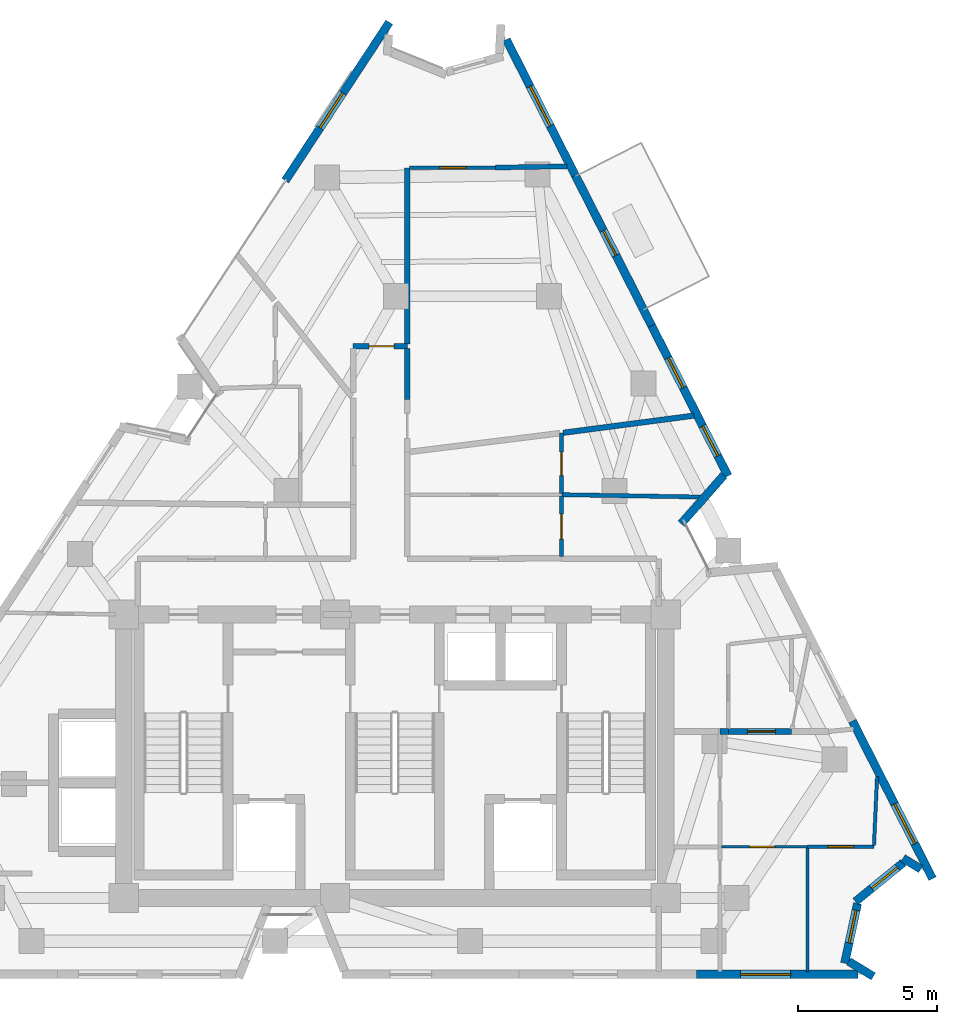
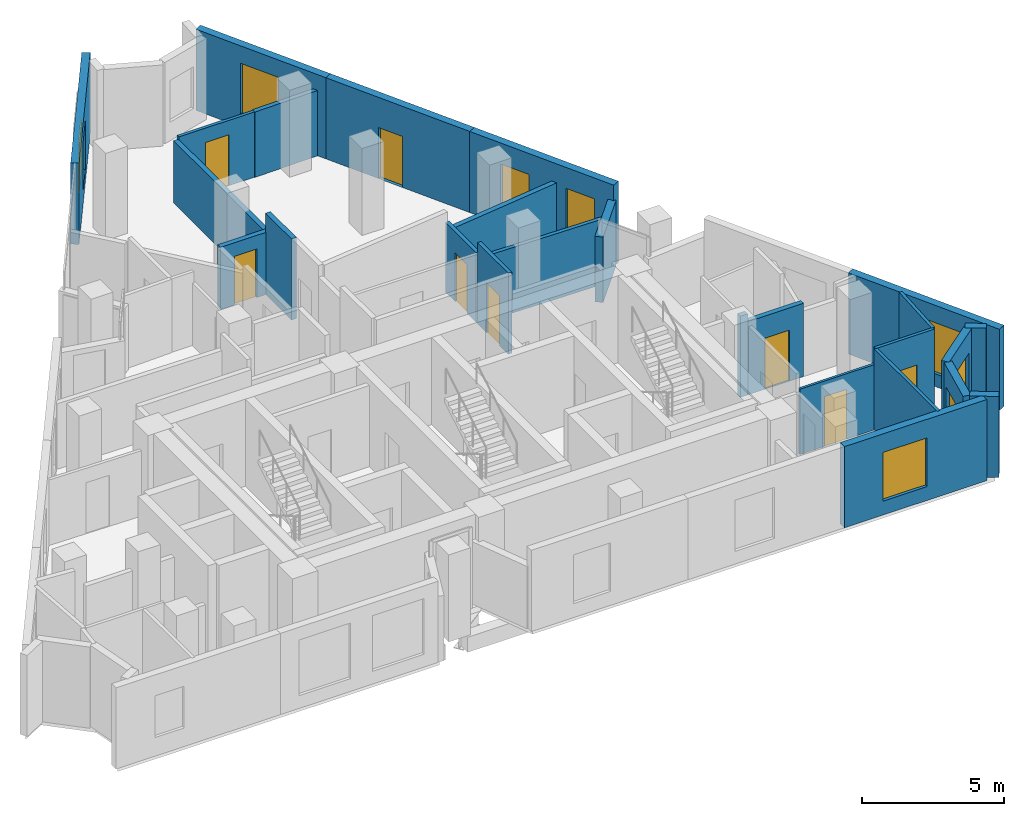
# One storey, part 7 of 9: 26 walls, 8 doors, 8 windows, 16 openings.
"""IFC4 building model written with IfcOpenShell, lengths in metres."""

from ifc_helpers import new_model, si_unit, direction, frame, frame_2d, origin, place, context, subcontext, project, spatial, rectangle, extrude, material, layer, layer_set, type_object, element, fill, save


model = new_model("IFC4")

# Units and contexts
model_context = context("Model", 3, precision=1e-05, world=origin(), true_north=direction((0.0, 1.0)))
body_context = subcontext(model_context, "Body", "Model", "MODEL_VIEW")
ifc_project = project(units=[si_unit("LENGTHUNIT", "METRE"), si_unit("AREAUNIT", "SQUARE_METRE"), si_unit("VOLUMEUNIT", "CUBIC_METRE"), si_unit("PLANEANGLEUNIT", "RADIAN"), si_unit("MASSUNIT", "GRAM", prefix="KILO")], contexts=[model_context])

# Site, building, storey
site_placement = place(None, origin())
site = spatial("IfcSite", under=ifc_project, at=site_placement, CompositionType="ELEMENT")
building_placement = place(site_placement, origin())
building = spatial("IfcBuilding", under=site, at=building_placement, Name="Almagre Mirador Tower", CompositionType="ELEMENT")
storey_placement = place(building_placement, frame((0.0, 0.0, 237.0)))
storey = spatial("IfcBuildingStorey", under=building, at=storey_placement, Name="L61", CompositionType="ELEMENT", Elevation=237.0)

# Wall, opening, window
ifc_material_1 = material(Name="Precast concrete C50/60", Category="concrete")
ifc_layer_1 = layer(ifc_material_1, 0.300048828125)
ifc_layer_set_1 = layer_set([ifc_layer_1], Name="Precast concrete C50/60")
wall_type_1 = type_object("IfcWallType", Name="WAL-EXT-300", PredefinedType="SOLIDWALL", material=ifc_layer_set_1)
wall_1_placement = place(storey_placement, frame((33.361083984375, 30.35888671875, 0.0), z_axis=(0.0, 0.0, 1.0), x_axis=(0.549026383074, 0.83580501954, 0.0)))
wall_1 = element("IfcWall", 1, at=wall_1_placement, inside=storey, type_object=wall_type_1, Name="L61 expressed almagre precast frame wall 03", PredefinedType="SOLIDWALL", context=body_context, shape_type="SweptSolid", body=[
    extrude(rectangle(XDim=6.8173828125, YDim=0.300048828125, at=frame_2d((3.40869140625, 0.0))), origin(), (0.0, 0.0, 1.0), 3.5),
])
opening_1_placement = place(wall_1_placement, frame((2.27490234375, 0.0, 0.60009765625)))
opening_1 = element("IfcOpeningElement", 2, at=opening_1_placement, cuts=wall_1, Name="Opening WN-03", PredefinedType="OPENING", context=body_context, shape_type="SweptSolid", body=[
    extrude(rectangle(XDim=1.5, YDim=2.10009765625, at=frame_2d((0.75, 1.050048828125))), frame((0.0, 0.159902, 0.0), z_axis=(0.0, -1.0, 0.0), x_axis=(1.0, 0.0, 0.0)), (0.0, 0.0, 1.0), 0.320049),
])
ifc_material_2 = material(Name="Dark solar-control laminated hurricane glass", Category="glass")
window_type_1 = type_object("IfcWindowType", Name="WIN-1500X2100", PartitioningType="DOUBLE_PANEL_VERTICAL", PredefinedType="WINDOW", material=ifc_material_2)
window_1_placement = place(opening_1_placement, origin())
window_1 = element("IfcWindow", 3, at=window_1_placement, inside=storey, type_object=window_type_1, Name="L61 recessed hurricane window L61-RST-J", OverallHeight=2.10009765625, OverallWidth=1.5, PartitioningType="SINGLE_PANEL", PredefinedType="WINDOW", context=body_context, shape_type="SweptSolid", body=[
    extrude(rectangle(XDim=1.5, YDim=2.10009765625, at=frame_2d((0.75, 1.050048828125))), frame((0.0, 0.030029296875, 0.0), z_axis=(0.0, -1.0, 0.0), x_axis=(1.0, 0.0, 0.0)), (0.0, 0.0, 1.0), 0.06005859375),
])
fill(opening_1, window_1)

wall_2_placement = place(storey_placement, frame((41.31591796875, 35.432861328125, 0.0), z_axis=(0.0, 0.0, 1.0), x_axis=(0.452857019938, -0.891583153437, 0.0)))
wall_2 = element("IfcWall", 4, at=wall_2_placement, inside=storey, type_object=wall_type_1, Name="L61 expressed almagre precast frame wall 08", PredefinedType="SOLIDWALL", context=body_context, shape_type="SweptSolid", body=[
    extrude(rectangle(XDim=5.476806640625, YDim=0.300048828125, at=frame_2d((2.73828125, 0.0))), origin(), (0.0, 0.0, 1.0), 3.5),
])
opening_2_placement = place(wall_2_placement, frame((1.885009765625, 0.0, 0.550048828125)))
opening_2 = element("IfcOpeningElement", 5, at=opening_2_placement, cuts=wall_2, Name="Opening WN-06", PredefinedType="OPENING", context=body_context, shape_type="SweptSolid", body=[
    extrude(rectangle(XDim=1.60009765625, YDim=2.199951171875, at=frame_2d((0.800048828125, 1.10009765625))), frame((0.0, 0.159902, 0.0), z_axis=(0.0, -1.0, 0.0), x_axis=(1.0, 0.0, 0.0)), (0.0, 0.0, 1.0), 0.320049),
])
ifc_material_3 = material(Name="Dark solar-control laminated hurricane glass", Category="glass")
window_type_2 = type_object("IfcWindowType", Name="WIN-1600X2200", PartitioningType="DOUBLE_PANEL_VERTICAL", PredefinedType="WINDOW", material=ifc_material_3)
window_2_placement = place(opening_2_placement, origin())
window_2 = element("IfcWindow", 6, at=window_2_placement, inside=storey, type_object=window_type_2, Name="L61 recessed hurricane window L61-UK-BT", OverallHeight=2.199951171875, OverallWidth=1.60009765625, PartitioningType="SINGLE_PANEL", PredefinedType="WINDOW", context=body_context, shape_type="SweptSolid", body=[
    extrude(rectangle(XDim=1.60009765625, YDim=2.199951171875, at=frame_2d((0.800048828125, 1.10009765625))), frame((0.0, 0.030029296875, 0.0), z_axis=(0.0, -1.0, 0.0), x_axis=(1.0, 0.0, 0.0)), (0.0, 0.0, 1.0), 0.06005859375),
])
fill(opening_2, window_2)

# Wall, opening, door
wall_3_placement = place(storey_placement, frame((43.772216796875, 30.59716796875, 0.0), z_axis=(0.0, 0.0, 1.0), x_axis=(0.452885591854, -0.891568640482, 0.0)))
wall_3 = element("IfcWall", 7, at=wall_3_placement, inside=storey, type_object=wall_type_1, Name="L61 expressed almagre precast frame wall 09", PredefinedType="SOLIDWALL", context=body_context, shape_type="SweptSolid", body=[
    extrude(rectangle(XDim=6.11962890625, YDim=0.300048828125, at=frame_2d((3.059814453125, 0.0))), origin(), (0.0, 0.0, 1.0), 3.5),
])
opening_3_placement = place(wall_3_placement, frame((2.27783203125, 0.0, 0.0)))
opening_3 = element("IfcOpeningElement", 8, at=opening_3_placement, cuts=wall_3, Name="Opening BD-01", PredefinedType="OPENING", context=body_context, shape_type="SweptSolid", body=[
    extrude(rectangle(XDim=1.0, YDim=2.199951171875, at=frame_2d((0.5, 1.10009765625))), frame((0.0, 0.159902, 0.0), z_axis=(0.0, -1.0, 0.0), x_axis=(1.0, 0.0, 0.0)), (0.0, 0.0, 1.0), 0.320049),
])
ifc_material_4 = material(Name="Black anodized aluminium and laminated glass", Category="aluminium")
door_type_1 = type_object("IfcDoorType", Name="DOR-BAL-1000X2200", OperationType="NOTDEFINED", PredefinedType="DOOR", material=ifc_material_4)
door_1_placement = place(opening_3_placement, origin())
door_1 = element("IfcDoor", 9, at=door_1_placement, inside=storey, type_object=door_type_1, Name="DR-1873 L61 east balcony glazed door 1", OperationType="SINGLE_SWING_RIGHT", OverallHeight=2.199951171875, OverallWidth=1.0, PredefinedType="DOOR", context=body_context, shape_type="SweptSolid", body=[
    extrude(rectangle(XDim=1.0, YDim=2.199951171875, at=frame_2d((0.5, 1.10009765625))), frame((0.0, 0.02490234375, 0.0), z_axis=(0.0, -1.0, 0.0), x_axis=(1.0, 0.0, 0.0)), (0.0, 0.0, 1.0), 0.050048828125),
])
fill(opening_3, door_1)

# Wall, openings, windows
wall_4_placement = place(storey_placement, frame((46.543701171875, 25.14111328125, 0.0), z_axis=(0.0, 0.0, 1.0), x_axis=(0.452918770225, -0.891551786257, 0.0)))
wall_4 = element("IfcWall", 10, at=wall_4_placement, inside=storey, type_object=wall_type_1, Name="L61 expressed almagre precast frame wall 10", PredefinedType="SOLIDWALL", context=body_context, shape_type="SweptSolid", body=[
    extrude(rectangle(XDim=6.06689453125, YDim=0.300048828125, at=frame_2d((3.033447265625, 0.0))), origin(), (0.0, 0.0, 1.0), 3.5),
])
opening_4_placement = place(wall_4_placement, frame((4.050048828125, 0.0, 0.800048828125)))
opening_4 = element("IfcOpeningElement", 11, at=opening_4_placement, cuts=wall_4, Name="Opening WN-04", PredefinedType="OPENING", context=body_context, shape_type="SweptSolid", body=[
    extrude(rectangle(XDim=1.199951171875, YDim=1.800048828125, at=frame_2d((0.60009765625, 0.89990234375))), frame((0.0, 0.159902, 0.0), z_axis=(0.0, -1.0, 0.0), x_axis=(1.0, 0.0, 0.0)), (0.0, 0.0, 1.0), 0.320049),
])
opening_5_placement = place(wall_4_placement, frame((1.300048828125, 0.0, 0.800048828125)))
opening_5 = element("IfcOpeningElement", 12, at=opening_5_placement, cuts=wall_4, Name="Opening WN-04", PredefinedType="OPENING", context=body_context, shape_type="SweptSolid", body=[
    extrude(rectangle(XDim=1.199951171875, YDim=1.800048828125, at=frame_2d((0.60009765625, 0.89990234375))), frame((0.0, 0.159902, 0.0), z_axis=(0.0, -1.0, 0.0), x_axis=(1.0, 0.0, 0.0)), (0.0, 0.0, 1.0), 0.320049),
])
ifc_material_5 = material(Name="Dark solar-control laminated hurricane glass", Category="glass")
window_type_3 = type_object("IfcWindowType", Name="WIN-1200X1800", PartitioningType="SINGLE_PANEL", PredefinedType="WINDOW", material=ifc_material_5)
window_3_placement = place(opening_4_placement, origin())
window_3 = element("IfcWindow", 13, at=window_3_placement, inside=storey, type_object=window_type_3, Name="L61 recessed hurricane window L61-UF-BT", OverallHeight=1.800048828125, OverallWidth=1.199951171875, PartitioningType="SINGLE_PANEL", PredefinedType="WINDOW", context=body_context, shape_type="SweptSolid", body=[
    extrude(rectangle(XDim=1.199951171875, YDim=1.800048828125, at=frame_2d((0.60009765625, 0.89990234375))), frame((0.0, 0.030029296875, 0.0), z_axis=(0.0, -1.0, 0.0), x_axis=(1.0, 0.0, 0.0)), (0.0, 0.0, 1.0), 0.06005859375),
])
fill(opening_4, window_3)
window_4_placement = place(opening_5_placement, origin())
window_4 = element("IfcWindow", 14, at=window_4_placement, inside=storey, type_object=window_type_3, Name="L61 recessed hurricane window L61-RST-H", OverallHeight=1.800048828125, OverallWidth=1.199951171875, PartitioningType="SINGLE_PANEL", PredefinedType="WINDOW", context=body_context, shape_type="SweptSolid", body=[
    extrude(rectangle(XDim=1.199951171875, YDim=1.800048828125, at=frame_2d((0.60009765625, 0.89990234375))), frame((0.0, 0.030029296875, 0.0), z_axis=(0.0, -1.0, 0.0), x_axis=(1.0, 0.0, 0.0)), (0.0, 0.0, 1.0), 0.06005859375),
])
fill(opening_5, window_4)

# Wall
wall_5_placement = place(storey_placement, frame((49.138916015625, 19.755615234375, 0.0), z_axis=(0.0, 0.0, 1.0), x_axis=(-0.661280321697, -0.7501388779, 0.0)))
element("IfcWall", 15, at=wall_5_placement, inside=storey, type_object=wall_type_1, Name="L61 expressed almagre precast frame wall 11", PredefinedType="SOLIDWALL", context=body_context, shape_type="SweptSolid", body=[
    extrude(rectangle(XDim=2.31884765625, YDim=0.300048828125, at=frame_2d((1.159423828125, 0.0))), origin(), (0.0, 0.0, 1.0), 2.824951171875),
])

# Wall, opening, window
wall_6_placement = place(storey_placement, frame((53.7685546875, 10.91748046875, 0.0), z_axis=(0.0, 0.0, 1.0), x_axis=(0.452819004825, -0.891602461229, 0.0)))
wall_6 = element("IfcWall", 16, at=wall_6_placement, inside=storey, type_object=wall_type_1, Name="L61 expressed almagre precast frame wall 14", PredefinedType="SOLIDWALL", context=body_context, shape_type="SweptSolid", body=[
    extrude(rectangle(XDim=6.366455078125, YDim=0.300048828125, at=frame_2d((3.18310546875, 0.0))), origin(), (0.0, 0.0, 1.0), 3.5),
])
opening_6_placement = place(wall_6_placement, frame((3.35009765625, 0.0, 0.550048828125)))
opening_6 = element("IfcOpeningElement", 17, at=opening_6_placement, cuts=wall_6, Name="Opening WN-06", PredefinedType="OPENING", context=body_context, shape_type="SweptSolid", body=[
    extrude(rectangle(XDim=1.60009765625, YDim=2.199951171875, at=frame_2d((0.800048828125, 1.10009765625))), frame((0.0, 0.159902, 0.0), z_axis=(0.0, -1.0, 0.0), x_axis=(1.0, 0.0, 0.0)), (0.0, 0.0, 1.0), 0.320049),
])
window_5_placement = place(opening_6_placement, origin())
window_5 = element("IfcWindow", 18, at=window_5_placement, inside=storey, type_object=window_type_2, Name="L61 recessed hurricane window L61-UC-KT", OverallHeight=2.199951171875, OverallWidth=1.60009765625, PartitioningType="SINGLE_PANEL", PredefinedType="WINDOW", context=body_context, shape_type="SweptSolid", body=[
    extrude(rectangle(XDim=1.60009765625, YDim=2.199951171875, at=frame_2d((0.800048828125, 1.10009765625))), frame((0.0, 0.030029296875, 0.0), z_axis=(0.0, -1.0, 0.0), x_axis=(1.0, 0.0, 0.0)), (0.0, 0.0, 1.0), 0.06005859375),
])
fill(opening_6, window_5)

# Wall
wall_7_placement = place(storey_placement, frame((56.225830078125, 5.58837890625, 0.0), z_axis=(0.0, 0.0, 1.0), x_axis=(-0.851959856167, 0.523607107935, 0.0)))
element("IfcWall", 19, at=wall_7_placement, inside=storey, type_object=wall_type_1, Name="L61 expressed almagre precast frame wall 15", PredefinedType="SOLIDWALL", context=body_context, shape_type="SweptSolid", body=[
    extrude(rectangle(XDim=0.750244140625, YDim=0.300048828125, at=frame_2d((0.375, 0.0))), origin(), (0.0, 0.0, 1.0), 3.5),
])

# Wall, opening, window
wall_8_placement = place(storey_placement, frame((55.601318359375, 5.82275390625, 0.0), z_axis=(0.0, 0.0, 1.0), x_axis=(-0.775969517168, -0.630770408648, 0.0)))
wall_8 = element("IfcWall", 20, at=wall_8_placement, inside=storey, type_object=wall_type_1, Name="L61 expressed almagre precast frame wall 16", PredefinedType="SOLIDWALL", context=body_context, shape_type="SweptSolid", body=[
    extrude(rectangle(XDim=2.222900390625, YDim=0.300048828125, at=frame_2d((1.111328125, 0.0))), origin(), (0.0, 0.0, 1.0), 3.5),
])
opening_7_placement = place(wall_8_placement, frame((0.27490234375, 0.0, 0.800048828125)))
opening_7 = element("IfcOpeningElement", 21, at=opening_7_placement, cuts=wall_8, Name="Opening WN-04", PredefinedType="OPENING", context=body_context, shape_type="SweptSolid", body=[
    extrude(rectangle(XDim=1.199951171875, YDim=1.800048828125, at=frame_2d((0.60009765625, 0.89990234375))), frame((0.0, 0.159902, 0.0), z_axis=(0.0, -1.0, 0.0), x_axis=(1.0, 0.0, 0.0)), (0.0, 0.0, 1.0), 0.320049),
])
window_6_placement = place(opening_7_placement, origin())
window_6 = element("IfcWindow", 22, at=window_6_placement, inside=storey, type_object=window_type_3, Name="L61 recessed hurricane window L61-UC-KT", OverallHeight=1.800048828125, OverallWidth=1.199951171875, PartitioningType="SINGLE_PANEL", PredefinedType="WINDOW", context=body_context, shape_type="SweptSolid", body=[
    extrude(rectangle(XDim=1.199951171875, YDim=1.800048828125, at=frame_2d((0.60009765625, 0.89990234375))), frame((0.0, 0.030029296875, 0.0), z_axis=(0.0, -1.0, 0.0), x_axis=(1.0, 0.0, 0.0)), (0.0, 0.0, 1.0), 0.06005859375),
])
fill(opening_7, window_6)

wall_9_placement = place(storey_placement, frame((53.951416015625, 4.3525390625, 0.0), z_axis=(0.0, 0.0, 1.0), x_axis=(-0.210621406129, -0.977567707773, 0.0)))
wall_9 = element("IfcWall", 23, at=wall_9_placement, inside=storey, type_object=wall_type_1, Name="L61 expressed almagre precast frame wall 17", PredefinedType="SOLIDWALL", context=body_context, shape_type="SweptSolid", body=[
    extrude(rectangle(XDim=2.19775390625, YDim=0.300048828125, at=frame_2d((1.098876953125, 0.0))), origin(), (0.0, 0.0, 1.0), 3.5),
])
opening_8_placement = place(wall_9_placement, frame((0.25, 0.0, 0.800048828125)))
opening_8 = element("IfcOpeningElement", 24, at=opening_8_placement, cuts=wall_9, Name="Opening WN-04", PredefinedType="OPENING", context=body_context, shape_type="SweptSolid", body=[
    extrude(rectangle(XDim=1.199951171875, YDim=1.800048828125, at=frame_2d((0.60009765625, 0.89990234375))), frame((0.0, 0.159902, 0.0), z_axis=(0.0, -1.0, 0.0), x_axis=(1.0, 0.0, 0.0)), (0.0, 0.0, 1.0), 0.320049),
])
window_7_placement = place(opening_8_placement, origin())
window_7 = element("IfcWindow", 25, at=window_7_placement, inside=storey, type_object=window_type_3, Name="L61 recessed hurricane window L61-UC-KT", OverallHeight=1.800048828125, OverallWidth=1.199951171875, PartitioningType="SINGLE_PANEL", PredefinedType="WINDOW", context=body_context, shape_type="SweptSolid", body=[
    extrude(rectangle(XDim=1.199951171875, YDim=1.800048828125, at=frame_2d((0.60009765625, 0.89990234375))), frame((0.0, 0.030029296875, 0.0), z_axis=(0.0, -1.0, 0.0), x_axis=(1.0, 0.0, 0.0)), (0.0, 0.0, 1.0), 0.06005859375),
])
fill(opening_8, window_7)

# Wall
wall_10_placement = place(storey_placement, frame((53.633056640625, 2.2705078125, 0.0), z_axis=(0.0, 0.0, 1.0), x_axis=(0.852375061926, -0.522930926421, 0.0)))
element("IfcWall", 26, at=wall_10_placement, inside=storey, type_object=wall_type_1, Name="L61 expressed almagre precast frame wall 18", PredefinedType="SOLIDWALL", context=body_context, shape_type="SweptSolid", body=[
    extrude(rectangle(XDim=1.039794921875, YDim=0.300048828125, at=frame_2d((0.52001953125, 0.0))), origin(), (0.0, 0.0, 1.0), 3.5),
])

# Wall, opening, window
wall_11_placement = place(storey_placement, frame((53.97509765625, 1.800048828125, 0.0), z_axis=(0.0, 0.0, 1.0), x_axis=(-1.0, 0.0, 0.0)))
wall_11 = element("IfcWall", 27, at=wall_11_placement, inside=storey, type_object=wall_type_1, Name="L61 expressed almagre precast frame wall 19", PredefinedType="SOLIDWALL", context=body_context, shape_type="SweptSolid", body=[
    extrude(rectangle(XDim=5.81640625, YDim=0.300048828125, at=frame_2d((2.908203125, 0.0))), origin(), (0.0, 0.0, 1.0), 3.5),
])
opening_9_placement = place(wall_11_placement, frame((2.43505859375, 0.0, 0.60009765625)))
opening_9 = element("IfcOpeningElement", 28, at=opening_9_placement, cuts=wall_11, Name="Opening WN-01", PredefinedType="OPENING", context=body_context, shape_type="SweptSolid", body=[
    extrude(rectangle(XDim=1.800048828125, YDim=2.10009765625, at=frame_2d((0.89990234375, 1.050048828125))), frame((0.0, 0.159902, 0.0), z_axis=(0.0, -1.0, 0.0), x_axis=(1.0, 0.0, 0.0)), (0.0, 0.0, 1.0), 0.320049),
])
ifc_material_6 = material(Name="Dark solar-control laminated hurricane glass", Category="glass")
window_type_4 = type_object("IfcWindowType", Name="WIN-1800X2100", PartitioningType="DOUBLE_PANEL_VERTICAL", PredefinedType="WINDOW", material=ifc_material_6)
window_8_placement = place(opening_9_placement, origin())
window_8 = element("IfcWindow", 29, at=window_8_placement, inside=storey, type_object=window_type_4, Name="L61 recessed hurricane window L61-UC-MB", OverallHeight=2.10009765625, OverallWidth=1.800048828125, PartitioningType="SINGLE_PANEL", PredefinedType="WINDOW", context=body_context, shape_type="SweptSolid", body=[
    extrude(rectangle(XDim=1.800048828125, YDim=2.10009765625, at=frame_2d((0.89990234375, 1.050048828125))), frame((0.0, 0.030029296875, 0.0), z_axis=(0.0, -1.0, 0.0), x_axis=(1.0, 0.0, 0.0)), (0.0, 0.0, 1.0), 0.06005859375),
])
fill(opening_9, window_8)

# Wall, opening, door
ifc_material_7 = material(Name="Gypsum acoustic stud partition", Category="other")
ifc_layer_2 = layer(ifc_material_7, 0.10009765625)
ifc_layer_set_2 = layer_set([ifc_layer_2], Name="Gypsum acoustic stud partition")
wall_type_2 = type_object("IfcWallType", Name="WAL-PRT-100-CLS", PredefinedType="PARTITIONING", material=ifc_layer_set_2)
wall_12_placement = place(storey_placement, frame((49.06005859375, 6.389892578125, 0.0), z_axis=(0.0, 0.0, 1.0), x_axis=(1.0, 0.0, 0.0)))
wall_12 = element("IfcWall", 30, at=wall_12_placement, inside=storey, type_object=wall_type_2, Name="L61 interior partition 029", PredefinedType="PARTITIONING", context=body_context, shape_type="SweptSolid", body=[
    extrude(rectangle(XDim=3.08984375, YDim=0.10009765625, at=frame_2d((1.544921875, 0.0))), origin(), (0.0, 0.0, 1.0), 2.820068359375),
])
opening_10_placement = place(wall_12_placement, frame((1.007080078125, 0.0, 0.0)))
opening_10 = element("IfcOpeningElement", 31, at=opening_10_placement, cuts=wall_12, Name="Opening UD-02", PredefinedType="OPENING", context=body_context, shape_type="SweptSolid", body=[
    extrude(rectangle(XDim=0.89990234375, YDim=2.14990234375, at=frame_2d((0.449951171875, 1.074951171875))), frame((0.0, 0.060049, 0.0), z_axis=(0.0, -1.0, 0.0), x_axis=(1.0, 0.0, 0.0)), (0.0, 0.0, 1.0), 0.120098),
])
ifc_material_8 = material(Name="Solid American walnut timber", Category="wood")
door_type_2 = type_object("IfcDoorType", Name="DOR-UNR-900X2150", OperationType="NOTDEFINED", PredefinedType="DOOR", material=ifc_material_8)
door_2_placement = place(opening_10_placement, origin())
door_2 = element("IfcDoor", 32, at=door_2_placement, inside=storey, type_object=door_type_2, Name="DR-1884 L61 interior door L61-UC-LV to L61-UC-MB", OperationType="SINGLE_SWING_RIGHT", OverallHeight=2.14990234375, OverallWidth=0.89990234375, PredefinedType="DOOR", context=body_context, shape_type="SweptSolid", body=[
    extrude(rectangle(XDim=0.89990234375, YDim=2.14990234375, at=frame_2d((0.449951171875, 1.074951171875))), frame((0.0, 0.02490234375, 0.0), z_axis=(0.0, -1.0, 0.0), x_axis=(1.0, 0.0, 0.0)), (0.0, 0.0, 1.0), 0.050048828125),
])
fill(opening_10, door_2)

ifc_material_9 = material(Name="Gypsum acoustic stud partition", Category="other")
ifc_layer_3 = layer(ifc_material_9, 0.125)
ifc_layer_set_3 = layer_set([ifc_layer_3], Name="Gypsum acoustic stud partition")
wall_type_3 = type_object("IfcWallType", Name="WAL-PRT-125-UTL", PredefinedType="PARTITIONING", material=ifc_layer_set_3)
wall_13_placement = place(storey_placement, frame((52.14990234375, 6.389892578125, 0.0), z_axis=(0.0, 0.0, 1.0), x_axis=(1.0, 0.0, 0.0)))
wall_13 = element("IfcWall", 33, at=wall_13_placement, inside=storey, type_object=wall_type_3, Name="L61 interior partition 027", PredefinedType="PARTITIONING", context=body_context, shape_type="SweptSolid", body=[
    extrude(rectangle(XDim=2.39013671875, YDim=0.125, at=frame_2d((1.195068359375, 0.0))), origin(), (0.0, 0.0, 1.0), 3.5),
])
opening_11_placement = place(wall_13_placement, frame((0.719970703125, 0.0, 0.0)))
opening_11 = element("IfcOpeningElement", 34, at=opening_11_placement, cuts=wall_13, Name="Opening UD-01", PredefinedType="OPENING", context=body_context, shape_type="SweptSolid", body=[
    extrude(rectangle(XDim=0.949951171875, YDim=2.199951171875, at=frame_2d((0.47509765625, 1.10009765625))), frame((0.0, 0.0725, 0.0), z_axis=(0.0, -1.0, 0.0), x_axis=(1.0, 0.0, 0.0)), (0.0, 0.0, 1.0), 0.145),
])
ifc_material_10 = material(Name="Solid American walnut timber", Category="wood")
door_type_3 = type_object("IfcDoorType", Name="DOR-UNR-950X2200", OperationType="NOTDEFINED", PredefinedType="DOOR", material=ifc_material_10)
door_3_placement = place(opening_11_placement, origin())
door_3 = element("IfcDoor", 35, at=door_3_placement, inside=storey, type_object=door_type_3, Name="DR-1882 L61 interior door L61-UC-LV to L61-UC-KT", OperationType="SINGLE_SWING_RIGHT", OverallHeight=2.199951171875, OverallWidth=0.949951171875, PredefinedType="DOOR", context=body_context, shape_type="SweptSolid", body=[
    extrude(rectangle(XDim=0.949951171875, YDim=2.199951171875, at=frame_2d((0.47509765625, 1.10009765625))), frame((0.0, 0.02490234375, 0.0), z_axis=(0.0, -1.0, 0.0), x_axis=(1.0, 0.0, 0.0)), (0.0, 0.0, 1.0), 0.050048828125),
])
fill(opening_11, door_3)

# Walls
wall_14_placement = place(storey_placement, frame((54.541259765625, 6.4375, 0.0), z_axis=(0.0, 0.0, 1.0), x_axis=(0.045497001929, 0.998964475252, 0.0)))
element("IfcWall", 36, at=wall_14_placement, inside=storey, type_object=wall_type_3, Name="L61 interior partition 028", PredefinedType="PARTITIONING", context=body_context, shape_type="SweptSolid", body=[
    extrude(rectangle(XDim=2.479248046875, YDim=0.125, at=frame_2d((1.23974609375, 0.0))), origin(), (0.0, 0.0, 1.0), 3.5),
])
wall_15_placement = place(storey_placement, frame((52.14990234375, 6.342529296875, 0.0), z_axis=(0.0, 0.0, 1.0), x_axis=(0.0, -1.0, 0.0)))
element("IfcWall", 37, at=wall_15_placement, inside=storey, type_object=wall_type_3, Name="L61 interior partition 035", PredefinedType="PARTITIONING", context=body_context, shape_type="SweptSolid", body=[
    extrude(rectangle(XDim=4.442626953125, YDim=0.125, at=frame_2d((2.22119140625, 0.0))), origin(), (0.0, 0.0, 1.0), 3.5),
])

# Wall, opening, door
wall_16_placement = place(storey_placement, frame((40.919921875, 30.820068359375, 0.0), z_axis=(0.0, 0.0, 1.0), x_axis=(-1.0, 0.0, 0.0)))
wall_16 = element("IfcWall", 38, at=wall_16_placement, inside=storey, type_object=wall_type_3, Name="L61 interior partition 060", PredefinedType="PARTITIONING", context=body_context, shape_type="SweptSolid", body=[
    extrude(rectangle(XDim=3.0849609375, YDim=0.125, at=frame_2d((1.54248046875, 0.0))), origin(), (0.0, 0.0, 1.0), 2.820068359375),
])
opening_12_placement = place(wall_16_placement, frame((1.052978515625, 0.0, 0.0)))
opening_12 = element("IfcOpeningElement", 39, at=opening_12_placement, cuts=wall_16, Name="Opening UD-01", PredefinedType="OPENING", context=body_context, shape_type="SweptSolid", body=[
    extrude(rectangle(XDim=0.949951171875, YDim=2.199951171875, at=frame_2d((0.47509765625, 1.10009765625))), frame((0.0, 0.0725, 0.0), z_axis=(0.0, -1.0, 0.0), x_axis=(1.0, 0.0, 0.0)), (0.0, 0.0, 1.0), 0.145),
])
door_4_placement = place(opening_12_placement, origin())
door_4 = element("IfcDoor", 40, at=door_4_placement, inside=storey, type_object=door_type_3, Name="DR-1899 L61 interior door L61-UK-ST to L61-UK-KT", OperationType="SINGLE_SWING_LEFT", OverallHeight=2.199951171875, OverallWidth=0.949951171875, PredefinedType="DOOR", context=body_context, shape_type="SweptSolid", body=[
    extrude(rectangle(XDim=0.949951171875, YDim=2.199951171875, at=frame_2d((0.47509765625, 1.10009765625))), frame((0.0, 0.02490234375, 0.0), z_axis=(0.0, -1.0, 0.0), x_axis=(1.0, 0.0, 0.0)), (0.0, 0.0, 1.0), 0.050048828125),
])
fill(opening_12, door_4)

ifc_material_11 = material(Name="Gypsum acoustic stud partition", Category="other")
ifc_layer_4 = layer(ifc_material_11, 0.14990234375)
ifc_layer_set_4 = layer_set([ifc_layer_4], Name="Gypsum acoustic stud partition")
wall_type_4 = type_object("IfcWallType", Name="WAL-PRT-150-STD", PredefinedType="PARTITIONING", material=ifc_layer_set_4)
wall_17_placement = place(storey_placement, frame((43.300048828125, 16.8349609375, 0.0), z_axis=(0.0, 0.0, 1.0), x_axis=(0.0, 1.0, 0.0)))
wall_17 = element("IfcWall", 41, at=wall_17_placement, inside=storey, type_object=wall_type_4, Name="L61 interior partition 046", PredefinedType="PARTITIONING", context=body_context, shape_type="SweptSolid", body=[
    extrude(rectangle(XDim=2.177490234375, YDim=0.14990234375, at=frame_2d((1.0888671875, 0.0))), origin(), (0.0, 0.0, 1.0), 3.5),
])
opening_13_placement = place(wall_17_placement, frame((0.6298828125, 0.0, 0.0)))
opening_13 = element("IfcOpeningElement", 42, at=opening_13_placement, cuts=wall_17, Name="Opening UD-02", PredefinedType="OPENING", context=body_context, shape_type="SweptSolid", body=[
    extrude(rectangle(XDim=0.89990234375, YDim=2.14990234375, at=frame_2d((0.449951171875, 1.074951171875))), frame((0.0, 0.084951, 0.0), z_axis=(0.0, -1.0, 0.0), x_axis=(1.0, 0.0, 0.0)), (0.0, 0.0, 1.0), 0.169902),
])
door_5_placement = place(opening_13_placement, origin())
door_5 = element("IfcDoor", 43, at=door_5_placement, inside=storey, type_object=door_type_2, Name="DR-1895 L61 interior door L61-UF-LV to L61-UF-B1", OperationType="SINGLE_SWING_LEFT", OverallHeight=2.14990234375, OverallWidth=0.89990234375, PredefinedType="DOOR", context=body_context, shape_type="SweptSolid", body=[
    extrude(rectangle(XDim=0.89990234375, YDim=2.14990234375, at=frame_2d((0.449951171875, 1.074951171875))), frame((0.0, 0.02490234375, 0.0), z_axis=(0.0, -1.0, 0.0), x_axis=(1.0, 0.0, 0.0)), (0.0, 0.0, 1.0), 0.050048828125),
])
fill(opening_13, door_5)

wall_18_placement = place(storey_placement, frame((43.300048828125, 21.280029296875, 0.0), z_axis=(0.0, 0.0, 1.0), x_axis=(0.0, -1.0, 0.0)))
wall_18 = element("IfcWall", 44, at=wall_18_placement, inside=storey, type_object=wall_type_4, Name="L61 interior partition 047", PredefinedType="PARTITIONING", context=body_context, shape_type="SweptSolid", body=[
    extrude(rectangle(XDim=2.172607421875, YDim=0.14990234375, at=frame_2d((1.08642578125, 0.0))), origin(), (0.0, 0.0, 1.0), 3.0029296875),
])
opening_14_placement = place(wall_18_placement, frame((0.68505859375, 0.0, 0.0)))
opening_14 = element("IfcOpeningElement", 45, at=opening_14_placement, cuts=wall_18, Name="Opening UD-04", PredefinedType="OPENING", context=body_context, shape_type="SweptSolid", body=[
    extrude(rectangle(XDim=0.85009765625, YDim=2.10009765625, at=frame_2d((0.425048828125, 1.050048828125))), frame((0.0, 0.084951, 0.0), z_axis=(0.0, -1.0, 0.0), x_axis=(1.0, 0.0, 0.0)), (0.0, 0.0, 1.0), 0.169902),
])
ifc_material_12 = material(Name="Moisture-resistant oak timber", Category="wood")
door_type_4 = type_object("IfcDoorType", Name="DOR-UNR-850X2100", OperationType="NOTDEFINED", PredefinedType="DOOR", material=ifc_material_12)
door_6_placement = place(opening_14_placement, origin())
door_6 = element("IfcDoor", 46, at=door_6_placement, inside=storey, type_object=door_type_4, Name="DR-1894 L61 interior door L61-UF-BT to L61-UF-KT", OperationType="SINGLE_SWING_RIGHT", OverallHeight=2.10009765625, OverallWidth=0.85009765625, PredefinedType="DOOR", context=body_context, shape_type="SweptSolid", body=[
    extrude(rectangle(XDim=0.85009765625, YDim=2.10009765625, at=frame_2d((0.425048828125, 1.050048828125))), frame((0.0, 0.02490234375, 0.0), z_axis=(0.0, -1.0, 0.0), x_axis=(1.0, 0.0, 0.0)), (0.0, 0.0, 1.0), 0.050048828125),
])
fill(opening_14, door_6)

# Walls
wall_19_placement = place(storey_placement, frame((43.3125, 19.059814453125, 0.0), z_axis=(0.0, 0.0, 1.0), x_axis=(0.999858734672, -0.016808054597, 0.0)))
element("IfcWall", 47, at=wall_19_placement, inside=storey, type_object=wall_type_4, Name="L61 interior partition 048", PredefinedType="PARTITIONING", context=body_context, shape_type="SweptSolid", body=[
    extrude(rectangle(XDim=4.982177734375, YDim=0.14990234375, at=frame_2d((2.4912109375, 0.0))), origin(), (0.0, 0.0, 1.0), 2.820068359375),
])
ifc_material_13 = material(Name="Gypsum acoustic stud partition", Category="other")
ifc_layer_5 = layer(ifc_material_13, 0.175048828125)
ifc_layer_set_5 = layer_set([ifc_layer_5], Name="Gypsum acoustic stud partition")
wall_type_5 = type_object("IfcWallType", Name="WAL-PRT-175-AC", PredefinedType="PARTITIONING", material=ifc_layer_set_5)
wall_20_placement = place(storey_placement, frame((43.5, 30.8740234375, 0.0), z_axis=(0.0, 0.0, 1.0), x_axis=(-0.999848462083, -0.017408413799, 0.0)))
element("IfcWall", 48, at=wall_20_placement, inside=storey, type_object=wall_type_5, Name="L61 interior partition 063", PredefinedType="PARTITIONING", context=body_context, shape_type="SweptSolid", body=[
    extrude(rectangle(XDim=2.58056640625, YDim=0.175048828125, at=frame_2d((1.290283203125, 0.0))), origin(), (0.0, 0.0, 1.0), 2.820068359375),
])

# Wall, opening, door
ifc_material_14 = material(Name="Gypsum acoustic stud partition", Category="other")
ifc_layer_6 = layer(ifc_material_14, 0.199951171875)
ifc_layer_set_6 = layer_set([ifc_layer_6], Name="Gypsum acoustic stud partition")
wall_type_6 = type_object("IfcWallType", Name="WAL-PRT-200-EI60", PredefinedType="PARTITIONING", material=ifc_layer_set_6)
wall_21_placement = place(storey_placement, frame((37.75, 24.39990234375, 0.0), z_axis=(0.0, 0.0, 1.0), x_axis=(-1.0, 0.0, 0.0)))
wall_21 = element("IfcWall", 49, at=wall_21_placement, inside=storey, type_object=wall_type_6, Name="L61 interior partition 012", PredefinedType="PARTITIONING", context=body_context, shape_type="SweptSolid", body=[
    extrude(rectangle(XDim=1.949951171875, YDim=0.199951171875, at=frame_2d((0.97509765625, 0.0))), origin(), (0.0, 0.0, 1.0), 2.68505859375),
])
opening_15_placement = place(wall_21_placement, frame((0.469970703125, 0.0, 0.0)))
opening_15 = element("IfcOpeningElement", 50, at=opening_15_placement, cuts=wall_21, Name="Opening ID-03", PredefinedType="OPENING", context=body_context, shape_type="SweptSolid", body=[
    extrude(rectangle(XDim=0.89990234375, YDim=2.10009765625, at=frame_2d((0.449951171875, 1.050048828125))), frame((0.0, 0.110098, 0.0), z_axis=(0.0, -1.0, 0.0), x_axis=(1.0, 0.0, 0.0)), (0.0, 0.0, 1.0), 0.219951),
])
ifc_material_15 = material(Name="Fire-rated hollow steel", Category="steel")
door_type_5 = type_object("IfcDoorType", Name="DOR-FD60-900X2100", OperationType="NOTDEFINED", PredefinedType="DOOR", material=ifc_material_15)
door_7_placement = place(opening_15_placement, origin())
door_7 = element("IfcDoor", 51, at=door_7_placement, inside=storey, type_object=door_type_5, Name="DR-1881 L61 interior door L61-RCOR to L61-RST-J", OperationType="SINGLE_SWING_LEFT", OverallHeight=2.10009765625, OverallWidth=0.89990234375, PredefinedType="DOOR", context=body_context, shape_type="SweptSolid", body=[
    extrude(rectangle(XDim=0.89990234375, YDim=2.10009765625, at=frame_2d((0.449951171875, 1.050048828125))), frame((0.0, 0.02490234375, 0.0), z_axis=(0.0, -1.0, 0.0), x_axis=(1.0, 0.0, 0.0)), (0.0, 0.0, 1.0), 0.050048828125),
])
fill(opening_15, door_7)

# Walls
wall_22_placement = place(storey_placement, frame((37.75, 22.489990234375, 0.0), z_axis=(0.0, 0.0, 1.0), x_axis=(0.0, 1.0, 0.0)))
element("IfcWall", 52, at=wall_22_placement, inside=storey, type_object=wall_type_6, Name="L61 interior partition 014", PredefinedType="PARTITIONING", context=body_context, shape_type="SweptSolid", body=[
    extrude(rectangle(XDim=1.824951171875, YDim=0.199951171875, at=frame_2d((0.91259765625, 0.0))), origin(), (0.0, 0.0, 1.0), 3.5),
])
wall_23_placement = place(storey_placement, frame((49.300048828125, 10.5400390625, 0.0), z_axis=(0.0, 0.0, 1.0), x_axis=(-1.0, 0.0, 0.0)))
element("IfcWall", 53, at=wall_23_placement, inside=storey, type_object=wall_type_6, Name="L61 interior partition 030", PredefinedType="PARTITIONING", context=body_context, shape_type="SweptSolid", body=[
    extrude(rectangle(XDim=0.300048828125, YDim=0.199951171875, at=frame_2d((0.14990234375, 0.0))), origin(), (0.0, 0.0, 1.0), 3.5),
])

# Wall, opening, door
wall_24_placement = place(storey_placement, frame((51.580078125, 10.5400390625, 0.0), z_axis=(0.0, 0.0, 1.0), x_axis=(-1.0, 0.0, 0.0)))
wall_24 = element("IfcWall", 54, at=wall_24_placement, inside=storey, type_object=wall_type_6, Name="L61 interior partition 031", PredefinedType="PARTITIONING", context=body_context, shape_type="SweptSolid", body=[
    extrude(rectangle(XDim=2.280029296875, YDim=0.199951171875, at=frame_2d((1.14013671875, 0.0))), origin(), (0.0, 0.0, 1.0), 3.159912109375),
])
opening_16_placement = place(wall_24_placement, frame((0.58447265625, 0.0, 0.0)))
opening_16 = element("IfcOpeningElement", 55, at=opening_16_placement, cuts=wall_24, Name="Opening ID-01", PredefinedType="OPENING", context=body_context, shape_type="SweptSolid", body=[
    extrude(rectangle(XDim=1.0, YDim=2.199951171875, at=frame_2d((0.5, 1.10009765625))), frame((0.0, 0.110098, 0.0), z_axis=(0.0, -1.0, 0.0), x_axis=(1.0, 0.0, 0.0)), (0.0, 0.0, 1.0), 0.219951),
])
ifc_material_16 = material(Name="Fire-rated walnut timber", Category="wood")
door_type_6 = type_object("IfcDoorType", Name="DOR-FD60-1000X2200", OperationType="NOTDEFINED", PredefinedType="DOOR", material=ifc_material_16)
door_8_placement = place(opening_16_placement, origin())
door_8 = element("IfcDoor", 56, at=door_8_placement, inside=storey, type_object=door_type_6, Name="DR-1900 L61 interior door L61-UC-LV to L61-UE-KT", OperationType="SINGLE_SWING_RIGHT", OverallHeight=2.199951171875, OverallWidth=1.0, PredefinedType="DOOR", context=body_context, shape_type="SweptSolid", body=[
    extrude(rectangle(XDim=1.0, YDim=2.199951171875, at=frame_2d((0.5, 1.10009765625))), frame((0.0, 0.02490234375, 0.0), z_axis=(0.0, -1.0, 0.0), x_axis=(1.0, 0.0, 0.0)), (0.0, 0.0, 1.0), 0.050048828125),
])
fill(opening_16, door_8)

# Walls
wall_25_placement = place(storey_placement, frame((48.068115234375, 21.905029296875, 0.0), z_axis=(0.0, 0.0, 1.0), x_axis=(-0.991511595064, -0.130018294302, 0.0)))
element("IfcWall", 57, at=wall_25_placement, inside=storey, type_object=wall_type_6, Name="L61 interior partition 049", PredefinedType="PARTITIONING", context=body_context, shape_type="SweptSolid", body=[
    extrude(rectangle(XDim=4.748779296875, YDim=0.199951171875, at=frame_2d((2.37451171875, 0.0))), origin(), (0.0, 0.0, 1.0), 2.68505859375),
])
wall_26_placement = place(storey_placement, frame((37.75, 24.485107421875, 0.0), z_axis=(0.0, 0.0, 1.0), x_axis=(0.0, 1.0, 0.0)))
element("IfcWall", 58, at=wall_26_placement, inside=storey, type_object=wall_type_6, Name="L61 interior partition 058", PredefinedType="PARTITIONING", context=body_context, shape_type="SweptSolid", body=[
    extrude(rectangle(XDim=6.3349609375, YDim=0.199951171875, at=frame_2d((3.16748046875, 0.0))), origin(), (0.0, 0.0, 1.0), 2.68505859375),
])

save(model, "model.ifc")
